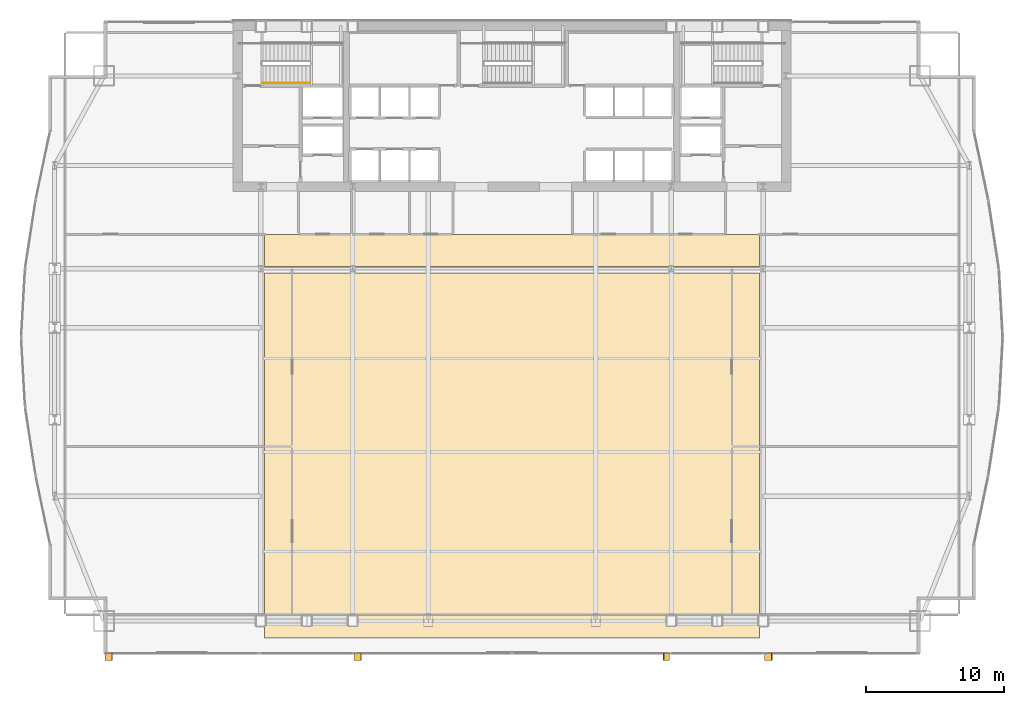
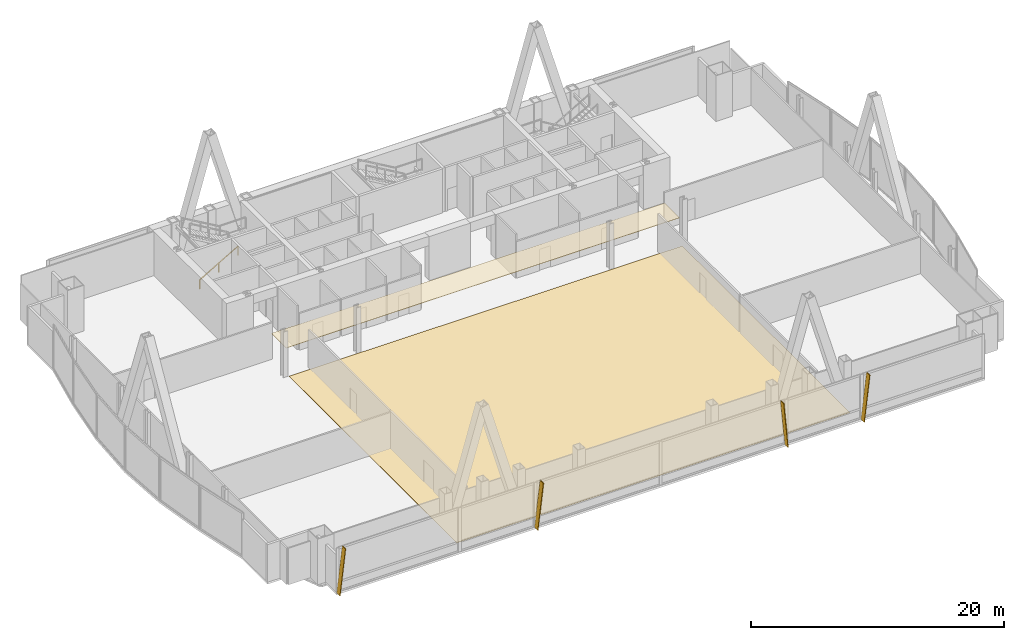
# One storey, part 31 of 32: 4 shading devices, 2 coverings, 1 railing.
"""IFC4 building model written with IfcOpenShell, lengths in metres."""

import ifcopenshell
import ifcopenshell.guid

model = None  # the IFC model being written
_history = None  # IfcOwnerHistory: only IFC2X3 demands one
_inside = {}  # id of a spatial element -> (the spatial element, [elements in it])
_under = {}  # id of a project, library or spatial element -> (it, [spatial elements below it])
_declared = {}  # id of a project -> (the project, [libraries it declares])
_typed = {}  # id of a type object -> (the type object, [elements of that type])
_made_of = {}  # id of a material, layer set ... -> (it, [elements and type objects made of it])


def new_model(schema):
    """Start an empty IFC model of exactly this schema.

    Asked for "IFC4X3", IfcOpenShell would pick the latest addendum, in which some entities
    have other attributes; the version numbers below select the first issue.
    IFC2X3 requires an IfcOwnerHistory on every rooted entity: one is made here for all.
    """
    global model, _history
    if schema == "IFC4X3":
        model = ifcopenshell.file(schema_version=(4, 3, 0, 0))
    else:
        model = ifcopenshell.file(schema=schema)
    _inside.clear()
    _under.clear()
    _declared.clear()
    _typed.clear()
    _made_of.clear()
    _history = None
    if model.schema == "IFC2X3":
        org = make("IfcOrganization", Name="unknown")
        user = make(
            "IfcPersonAndOrganization",
            ThePerson=make("IfcPerson", FamilyName="unknown"),
            TheOrganization=org,
        )
        app = make(
            "IfcApplication",
            ApplicationDeveloper=org,
            Version="unknown",
            ApplicationFullName="unknown",
            ApplicationIdentifier="unknown",
        )
        _history = make(
            "IfcOwnerHistory",
            OwningUser=user,
            OwningApplication=app,
            ChangeAction="ADDED",
            CreationDate=0,
        )
    return model


def make(cls, **values):
    """One entity of the class cls with the attributes given. An attribute that is None is left unset."""
    return model.create_entity(
        cls, **{name: value for name, value in values.items() if value is not None}
    )


def rooted(cls, **values):
    """An entity with a GlobalId (a new one), such as an element, a storey or a relation."""
    return make(cls, GlobalId=ifcopenshell.guid.new(), OwnerHistory=_history, **values)


def si_unit(unit_type, name, prefix=None):
    """IfcSIUnit, for example si_unit("LENGTHUNIT", "METRE", prefix="MILLI")."""
    return make("IfcSIUnit", UnitType=unit_type, Prefix=prefix, Name=name)


def assignment(units):
    """IfcUnitAssignment: the units of a project."""
    return None if units is None else make("IfcUnitAssignment", Units=units)


def point(xyz):
    """IfcCartesianPoint."""
    return None if xyz is None else make("IfcCartesianPoint", Coordinates=xyz)


def direction(xyz):
    """IfcDirection."""
    return None if xyz is None else make("IfcDirection", DirectionRatios=xyz)


def frame(location, z_axis=None, x_axis=None):
    """IfcAxis2Placement3D, a coordinate frame: its origin and axes. An axis left out is left unset."""
    return make(
        "IfcAxis2Placement3D",
        Location=point(location),
        Axis=direction(z_axis),
        RefDirection=direction(x_axis),
    )


def frame_2d(location, x_axis=None):
    """IfcAxis2Placement2D, a coordinate frame in the plane: its origin and x axis."""
    return make(
        "IfcAxis2Placement2D", Location=point(location), RefDirection=direction(x_axis)
    )


def origin():
    """The frame at (0, 0, 0) with its axes left unset."""
    return frame((0.0, 0.0, 0.0))


def origin_2d():
    """The frame at (0, 0) in the plane with its x axis left unset."""
    return frame_2d((0.0, 0.0))


def place(relative_to, where):
    """IfcLocalPlacement: puts the frame where relative to a parent placement (None: the world)."""
    return make(
        "IfcLocalPlacement", PlacementRelTo=relative_to, RelativePlacement=where
    )


def context(
    kind, dimensions, precision=None, world=None, true_north=None, identifier=None
):
    """IfcGeometricRepresentationContext, for example the 3D "Model" context."""
    return make(
        "IfcGeometricRepresentationContext",
        ContextIdentifier=identifier,
        ContextType=kind,
        CoordinateSpaceDimension=dimensions,
        Precision=precision,
        WorldCoordinateSystem=world,
        TrueNorth=true_north,
    )


def subcontext(parent, identifier, kind, view, scale=None):
    """IfcGeometricRepresentationSubContext, for example "Body" below "Model"."""
    return make(
        "IfcGeometricRepresentationSubContext",
        ContextIdentifier=identifier,
        ContextType=kind,
        ParentContext=parent,
        TargetScale=scale,
        TargetView=view,
    )


def project(units=None, contexts=None):
    """IfcProject with its units and contexts."""
    return rooted(
        "IfcProject",
        Name="project",
        RepresentationContexts=contexts,
        UnitsInContext=assignment(units),
    )


def spatial(cls, under=None, at=None, **own):
    """A site, building, storey or space (cls), placed at a placement, below another one or the project."""
    s = rooted(cls, ObjectPlacement=at, **own)
    if under is not None:
        _under.setdefault(under.id(), (under, []))[1].append(s)
    return s


def polyline(points):
    """IfcPolyline through the points."""
    return make("IfcPolyline", Points=[point(p) for p in points])


def profile(cls, at=None, kind="AREA", **sizes):
    """A parametric profile (cls). Its sizes go by their IFC names, for example OverallWidth=200.0."""
    return make(cls, ProfileType=kind, Position=at, **sizes)


def rectangle(**sizes):
    """IfcRectangleProfileDef."""
    return profile("IfcRectangleProfileDef", **sizes)


def outline(outer, holes=None, kind="AREA"):
    """IfcArbitraryClosedProfileDef: a profile drawn as a closed curve; with holes, ...WithVoids."""
    if holes is None:
        return make("IfcArbitraryClosedProfileDef", ProfileType=kind, OuterCurve=outer)
    return make(
        "IfcArbitraryProfileDefWithVoids",
        ProfileType=kind,
        OuterCurve=outer,
        InnerCurves=holes,
    )


def extrude(swept, where, along, depth):
    """IfcExtrudedAreaSolid: the profile swept, set in the frame where, extruded along a direction by depth."""
    return make(
        "IfcExtrudedAreaSolid",
        SweptArea=swept,
        Position=where,
        ExtrudedDirection=direction(along),
        Depth=depth,
    )


def shape(context_of_items, identifier, shape_type, items):
    """IfcShapeRepresentation: the items that make up one representation, for example the "Body"."""
    return make(
        "IfcShapeRepresentation",
        ContextOfItems=context_of_items,
        RepresentationIdentifier=identifier,
        RepresentationType=shape_type,
        Items=items,
    )


def material(Name=None, Category=None):
    """IfcMaterial."""
    return make("IfcMaterial", Name=Name, Category=Category)


def layer(
    of_material, thickness, ventilated=None, Name=None, Category=None, Priority=None
):
    """IfcMaterialLayer: one layer of a wall or slab, of a material (None: an air gap)."""
    return make(
        "IfcMaterialLayer",
        Material=of_material,
        LayerThickness=thickness,
        IsVentilated=ventilated,
        Name=Name,
        Category=Category,
        Priority=Priority,
    )


def layer_set(layers, Name=None):
    """IfcMaterialLayerSet."""
    return make("IfcMaterialLayerSet", MaterialLayers=layers, LayerSetName=Name)


def made_of(thing, what):
    """Note that an element or type object is made of a material, layer set ...; save() writes the relation."""
    if what is not None:
        _made_of.setdefault(what.id(), (what, []))[1].append(thing)
    return thing


def type_object(cls, material=None, **own):
    """A type object (cls), such as IfcWallType, which elements share."""
    return made_of(rooted(cls, **own), material)


def element(
    cls,
    number,
    at=None,
    inside=None,
    cuts=None,
    type_object=None,
    material=None,
    context=None,
    identifier="Body",
    shape_type=None,
    held_by="IfcProductDefinitionShape",
    body=None,
    shapes=None,
    **own,
):
    """One element of the class cls, such as IfcWall. Its Tag is "e" and its number.

    at: its placement. inside: the storey or other place that contains it. cuts: it is an
    opening in that element (IfcRelVoidsElement). A single representation is given by context,
    identifier, shape_type and body (its items); several are given by shapes. held_by: the class
    of the entity that holds the representations. save() writes the other relations.
    """
    e = rooted(cls, Tag="e%d" % number, ObjectPlacement=at, **own)
    if body is not None:
        shapes = [shape(context, identifier, shape_type, body)]
    if shapes is not None:
        e.Representation = make(held_by, Representations=shapes)
    if inside is not None:
        _inside.setdefault(inside.id(), (inside, []))[1].append(e)
    if cuts is not None:
        rooted(
            "IfcRelVoidsElement", RelatingBuildingElement=cuts, RelatedOpeningElement=e
        )
    if type_object is not None:
        _typed.setdefault(type_object.id(), (type_object, []))[1].append(e)
    return made_of(e, material)


def aggregate(whole, parts):
    """IfcRelAggregates: a whole, such as a stair, and the parts it consists of."""
    return rooted("IfcRelAggregates", RelatingObject=whole, RelatedObjects=parts)


def save(model, path):
    """Write the relations noted so far, then the file.

    IfcRelAggregates (storeys below a building ...), IfcRelContainedInSpatialStructure (elements
    in a storey), IfcRelDefinesByType, IfcRelAssociatesMaterial and IfcRelDeclares: one each for
    every whole, place, type object, material and project.
    """
    for whole, parts in _under.values():
        aggregate(whole, parts)
    for where, things in _inside.values():
        rooted(
            "IfcRelContainedInSpatialStructure",
            RelatedElements=things,
            RelatingStructure=where,
        )
    for kind, things in _typed.values():
        rooted("IfcRelDefinesByType", RelatedObjects=things, RelatingType=kind)
    for what, things in _made_of.values():
        rooted("IfcRelAssociatesMaterial", RelatedObjects=things, RelatingMaterial=what)
    for by, libraries in _declared.values():
        rooted("IfcRelDeclares", RelatingContext=by, RelatedDefinitions=libraries)
    model.write(path)


model = new_model("IFC4")

# Units and contexts
model_context = context("Model", 3, precision=1e-05, world=origin(), true_north=direction((0.0, 1.0)))
body_context = subcontext(model_context, "Body", "Model", "MODEL_VIEW")
ifc_project = project(units=[si_unit("LENGTHUNIT", "METRE"), si_unit("AREAUNIT", "SQUARE_METRE"), si_unit("VOLUMEUNIT", "CUBIC_METRE"), si_unit("PLANEANGLEUNIT", "RADIAN"), si_unit("MASSUNIT", "GRAM", prefix="KILO")], contexts=[model_context])

# Site, building, storey
site_placement = place(None, origin())
site = spatial("IfcSite", under=ifc_project, at=site_placement, CompositionType="ELEMENT")
building_placement = place(site_placement, origin())
building = spatial("IfcBuilding", under=site, at=building_placement, Name="Khoronbel Lancet Exchange", CompositionType="ELEMENT")
storey_placement = place(building_placement, frame((0.0, 0.0, 106.60009765625)))
storey = spatial("IfcBuildingStorey", under=building, at=storey_placement, Name="L25", CompositionType="ELEMENT", Elevation=106.60009765625)

# Coverings
ifc_material_1 = material(Name="Micro-Perforated Bronze Acoustic Metal Ceiling Tile", Category="aluminium")
ifc_layer_1 = layer(ifc_material_1, 0.0400390625, Name="Micro-Perforated Bronze Acoustic Metal Ceiling Tile")
ifc_layer_set_1 = layer_set([ifc_layer_1], Name="Micro-Perforated Bronze Acoustic Metal Ceiling Tile")
covering_type_1 = type_object("IfcCoveringType", Name="COV-CEIL1", PredefinedType="CEILING", material=ifc_layer_set_1)
covering_1_placement = place(storey_placement, frame((0.0, 0.0, 2.43994140625)))
element("IfcCovering", 1, at=covering_1_placement, inside=storey, type_object=covering_type_1, Name="Level L25 corridor acoustic metal ceiling", PredefinedType="CEILING", context=body_context, shape_type="SweptSolid", body=[
    extrude(outline(polyline([(18.5, 35.85009765625), (54.39990234375, 35.85009765625), (54.39990234375, 38.179931640625), (18.5, 38.179931640625), (18.5, 35.85009765625)])), origin(), (0.0, 0.0, 1.0), 0.0400390625),
])
ifc_material_2 = material(Name="Honed Egyptian Galala Marble & Raised Access Floor Finish", Category="masonry")
ifc_layer_2 = layer(ifc_material_2, 0.030029296875, Name="Honed Egyptian Galala Marble & Raised Access Floor Finish")
ifc_layer_set_2 = layer_set([ifc_layer_2], Name="Honed Egyptian Galala Marble & Raised Access Floor Finish")
covering_type_2 = type_object("IfcCoveringType", Name="COV-FLR1", PredefinedType="FLOORING", material=ifc_layer_set_2)
covering_2_placement = place(storey_placement, origin())
element("IfcCovering", 2, at=covering_2_placement, inside=storey, type_object=covering_type_2, Name="Level L25 anti-static raised access floor finish", PredefinedType="FLOORING", context=body_context, shape_type="SweptSolid", body=[
    extrude(outline(polyline([(18.5, 8.89990234375), (54.39990234375, 8.89990234375), (54.39990234375, 35.39990234375), (18.5, 35.39990234375), (18.5, 8.89990234375)])), origin(), (0.0, 0.0, 1.0), 0.02978515625),
])

# Railing
ifc_material_3 = material(Name="Brushed Stainless Steel 316", Category="steel")
railing_type = type_object("IfcRailingType", Name="RL-STH92", PredefinedType="HANDRAIL", material=ifc_material_3)
railing_placement = place(storey_placement, frame((18.300048828125, 49.169921875, 0.169189453125)))
element("IfcRailing", 3, at=railing_placement, inside=storey, type_object=railing_type, Name="L25 ST1 stair handrail 1", PredefinedType="HANDRAIL", context=body_context, shape_type="SweptSolid", body=[
    extrude(rectangle(XDim=0.048095703125, YDim=0.048095703125, at=origin_2d()), frame((0.0, 0.0, 0.8759765625), z_axis=(0.863695377172, 0.0, 0.504014181796), x_axis=(0.0, 1.0, 0.0)), (0.0, 0.0, 1.0), 4.029296875),
    extrude(rectangle(XDim=0.0419921875, YDim=0.0419921875, at=origin_2d()), origin(), (0.0, 0.0, 1.0), 0.851806640625),
    extrude(rectangle(XDim=0.0419921875, YDim=0.0419921875, at=origin_2d()), frame((1.739990234375, 0.0, 1.015380859375)), (0.0, 0.0, 1.0), 0.851806640625),
    extrude(rectangle(XDim=0.0419921875, YDim=0.0419921875, at=origin_2d()), frame((3.47998046875, 0.0, 2.03076171875)), (0.0, 0.0, 1.0), 0.851806640625),
])

# Shading devices
ifc_material_4 = material(Name="Bronze-Anodised Aluminium 6063-T6", Category="aluminium")
ifc_layer_3 = layer(ifc_material_4, 0.054931640625, Name="Bronze-Anodised Aluminium 6063-T6")
ifc_layer_set_3 = layer_set([ifc_layer_3], Name="Bronze-Anodised Aluminium 6063-T6")
shading_device_type = type_object("IfcShadingDeviceType", Name="SHD-FIN1", PredefinedType="USERDEFINED", material=ifc_layer_set_3)
for number, where, z_axis, x_axis, name in (
    (4, (6.91259765625, 7.81005859375, -0.080078125), (-0.993361589988, 0.0, 0.115033697396), (0.0, -1.0, 0.0), "Slanted bronze solar fin CW-L25-SWV-0"),
    (5, (24.972412109375, 7.81005859375, -0.080078125), (-0.993355232174, 0.0, 0.115088586368), (0.0, -1.0, 0.0), "Slanted bronze solar fin CW-L25-SCV-0"),
):
    element("IfcShadingDevice", number, at=place(storey_placement, frame(where, z_axis=z_axis, x_axis=x_axis)), inside=storey, type_object=shading_device_type, Name=name, ObjectType="FIN", PredefinedType="USERDEFINED", context=body_context, shape_type="SweptSolid", body=[
        extrude(outline(polyline([(0.0, 0.0), (0.52001953125, 0.0), (0.52001953125, 4.388916015625), (0.0, 4.388916015625), (0.0, 0.0)])), origin(), (0.0, 0.0, -1.0), 0.054931640625),
    ])
shading_device_1_placement = place(storey_placement, frame((47.87255859375, 7.81005859375, -0.080078125), z_axis=(0.995920588085, 0.0, 0.090234041411), x_axis=(0.0, -1.0, 0.0)))
element("IfcShadingDevice", 6, at=shading_device_1_placement, inside=storey, type_object=shading_device_type, Name="Slanted bronze solar fin CW-L25-SCV-2", ObjectType="FIN", PredefinedType="USERDEFINED", context=body_context, shape_type="SweptSolid", body=[
    extrude(outline(polyline([(0.0, 0.0), (0.52001953125, 0.0), (0.52001953125, -4.377685546875), (0.0, -4.377685546875), (0.0, 0.0)])), origin(), (0.0, 0.0, -1.0), 0.054931640625),
])
shading_device_2_placement = place(storey_placement, frame((54.7724609375, 7.81005859375, -0.080078125), z_axis=(-0.993355232174, 0.0, 0.115088586368), x_axis=(0.0, -1.0, 0.0)))
element("IfcShadingDevice", 7, at=shading_device_2_placement, inside=storey, type_object=shading_device_type, Name="Slanted bronze solar fin CW-L25-SEV-0", ObjectType="FIN", PredefinedType="USERDEFINED", context=body_context, shape_type="SweptSolid", body=[
    extrude(outline(polyline([(0.0, 0.0), (0.52001953125, 0.0), (0.52001953125, 4.388916015625), (0.0, 4.388916015625), (0.0, 0.0)])), origin(), (0.0, 0.0, -1.0), 0.054931640625),
])

save(model, "model.ifc")
